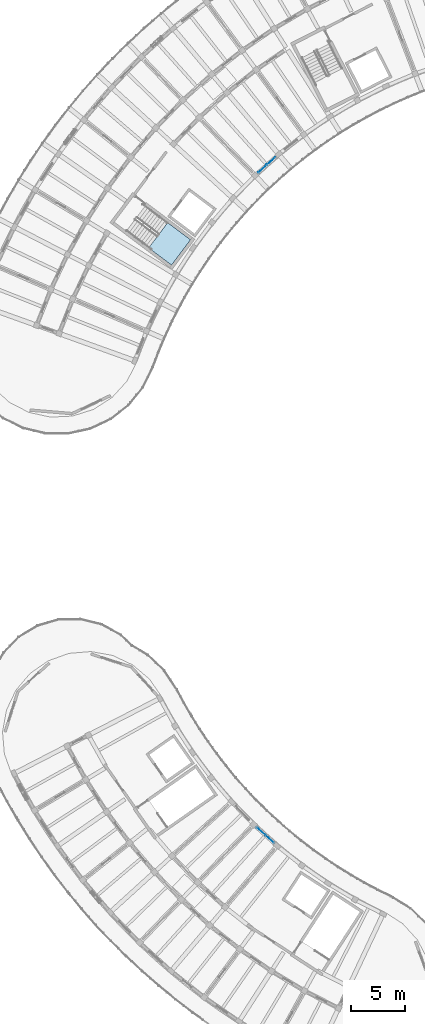
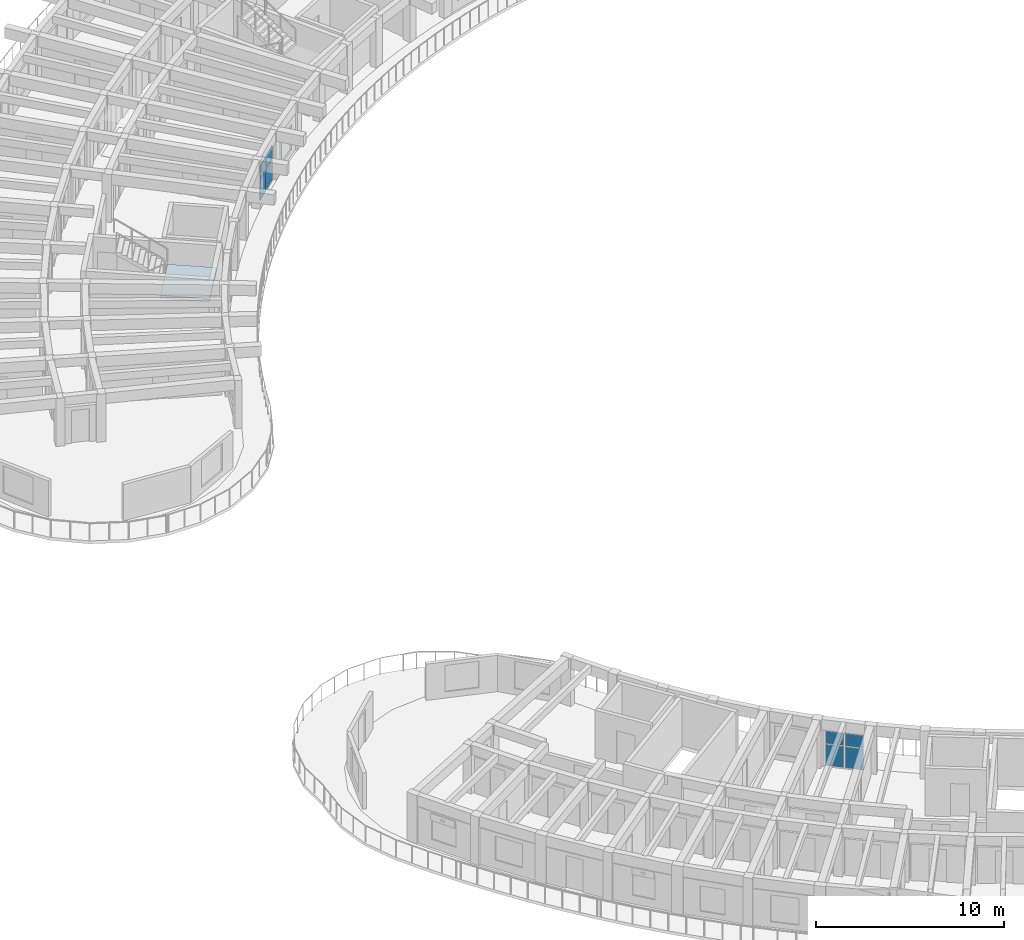
# One storey, part 12 of 41: 8 plates, 1 slab, 3 elements without a shape of their own.
"""IFC4 building model written with IfcOpenShell, lengths in metres."""

from ifc_helpers import new_model, si_unit, direction, frame, origin, origin_2d, place, context, subcontext, project, spatial, polyline, rectangle, outline, extrude, material, layer, layer_set, type_object, element, aggregate, save


model = new_model("IFC4")

# Units and contexts
model_context = context("Model", 3, precision=1e-05, world=origin(), true_north=direction((0.0, 1.0)))
body_context = subcontext(model_context, "Body", "Model", "MODEL_VIEW")
ifc_project = project(units=[si_unit("LENGTHUNIT", "METRE"), si_unit("AREAUNIT", "SQUARE_METRE"), si_unit("VOLUMEUNIT", "CUBIC_METRE"), si_unit("PLANEANGLEUNIT", "RADIAN"), si_unit("MASSUNIT", "GRAM", prefix="KILO")], contexts=[model_context])

# Site, building, storey
site_placement = place(None, origin())
site = spatial("IfcSite", under=ifc_project, at=site_placement, CompositionType="ELEMENT")
building_placement = place(site_placement, origin())
building = spatial("IfcBuilding", under=site, at=building_placement, Name="Tanwirah Colonnade Gardens", CompositionType="ELEMENT")
storey_placement = place(building_placement, frame((0.0, 0.0, 35.719970703125)))
storey = spatial("IfcBuildingStorey", under=building, at=storey_placement, Name="L10", CompositionType="ELEMENT", Elevation=35.719970703125)

# Curtain wall, plates
ifc_material_1 = material(Name="Bronze-anodised aluminium and solar-control low-E glass", Category="aluminium")
curtain_wall_type = type_object("IfcCurtainWallType", Name="CW-GDN", PredefinedType="NOTDEFINED", material=ifc_material_1)
curtain_wall_1_placement = place(storey_placement, origin())
curtain_wall_1 = element("IfcCurtainWall", 1, at=curtain_wall_1_placement, inside=storey, type_object=curtain_wall_type, Name="Curtain Wall CW-C-L10-IN-08", PredefinedType="NOTDEFINED")
ifc_material_2 = material(Name="Solar-control low-E double glazing", Category="glass")
ifc_layer_1 = layer(ifc_material_2, 0.028076171875)
ifc_layer_set_1 = layer_set([ifc_layer_1], Name="Solar-control low-E double glazing")
plate_type_1 = type_object("IfcPlateType", Name="CWP-GLZ28", PredefinedType="CURTAIN_PANEL", material=ifc_layer_set_1)
plate_1_placement = place(storey_placement, frame((34.806396484375, 31.90673828125, 0.06005859375), z_axis=(0.0, 0.0, 1.0), x_axis=(0.741682643058, -0.670750964954, 0.0)))
plate_1 = element("IfcPlate", 2, at=plate_1_placement, type_object=plate_type_1, Name="CW-GDN panel 1.1", PredefinedType="CURTAIN_PANEL", context=body_context, shape_type="SweptSolid", body=[
    extrude(rectangle(XDim=1.00439453125, YDim=0.028076171875, at=origin_2d()), origin(), (0.0, 0.0, 1.0), 1.3701171875),
])
plate_2_placement = place(storey_placement, frame((34.806396484375, 31.90673828125, 1.490234375), z_axis=(0.0, 0.0, 1.0), x_axis=(0.741682643058, -0.670750964954, 0.0)))
plate_2 = element("IfcPlate", 3, at=plate_2_placement, type_object=plate_type_1, Name="CW-GDN panel 1.2", PredefinedType="CURTAIN_PANEL", context=body_context, shape_type="SweptSolid", body=[
    extrude(rectangle(XDim=1.00439453125, YDim=0.028076171875, at=origin_2d()), origin(), (0.0, 0.0, 1.0), 0.804931640625),
])
plate_3_placement = place(storey_placement, frame((35.595703125, 31.19287109375, 0.06005859375), z_axis=(0.0, 0.0, 1.0), x_axis=(0.741682643058, -0.670750964954, 0.0)))
plate_3 = element("IfcPlate", 4, at=plate_3_placement, type_object=plate_type_1, Name="CW-GDN panel 2.1", PredefinedType="CURTAIN_PANEL", context=body_context, shape_type="SweptSolid", body=[
    extrude(rectangle(XDim=1.00439453125, YDim=0.028076171875, at=origin_2d()), origin(), (0.0, 0.0, 1.0), 1.3701171875),
])
plate_4_placement = place(storey_placement, frame((35.595703125, 31.19287109375, 1.490234375), z_axis=(0.0, 0.0, 1.0), x_axis=(0.741682643058, -0.670750964954, 0.0)))
plate_4 = element("IfcPlate", 5, at=plate_4_placement, type_object=plate_type_1, Name="CW-GDN panel 2.2", PredefinedType="CURTAIN_PANEL", context=body_context, shape_type="SweptSolid", body=[
    extrude(rectangle(XDim=1.00439453125, YDim=0.028076171875, at=origin_2d()), origin(), (0.0, 0.0, 1.0), 0.804931640625),
])
aggregate(curtain_wall_1, [plate_1, plate_2, plate_3, plate_4])

curtain_wall_2_placement = place(storey_placement, origin())
curtain_wall_2 = element("IfcCurtainWall", 6, at=curtain_wall_2_placement, inside=storey, type_object=curtain_wall_type, Name="Curtain Wall CW-A-L10-IN-09", PredefinedType="NOTDEFINED")
ifc_material_3 = material(Name="Insulated bronze aluminium spandrel panel", Category="aluminium")
ifc_layer_2 = layer(ifc_material_3, 0.035888671875)
ifc_layer_set_2 = layer_set([ifc_layer_2], Name="Insulated bronze aluminium spandrel panel")
plate_type_2 = type_object("IfcPlateType", Name="CWP-SPN36", PredefinedType="CURTAIN_PANEL", material=ifc_layer_set_2)
plate_5_placement = place(storey_placement, frame((35.736572265625, 93.630615234375, 0.06494140625), z_axis=(0.0, 0.0, 1.0), x_axis=(-0.744440162253, -0.667689182798, 0.0)))
plate_5 = element("IfcPlate", 7, at=plate_5_placement, type_object=plate_type_2, Name="CW-GDN panel 1.1", PredefinedType="CURTAIN_PANEL", context=body_context, shape_type="SweptSolid", body=[
    extrude(rectangle(XDim=1.007568359375, YDim=0.035888671875, at=origin_2d()), origin(), (0.0, 0.0, 1.0), 1.362548828125),
])
plate_6_placement = place(storey_placement, frame((35.736572265625, 93.630615234375, 1.49267578125), z_axis=(0.0, 0.0, 1.0), x_axis=(-0.744440162253, -0.667689182798, 0.0)))
plate_6 = element("IfcPlate", 8, at=plate_6_placement, type_object=plate_type_2, Name="CW-GDN panel 1.2", PredefinedType="CURTAIN_PANEL", context=body_context, shape_type="SweptSolid", body=[
    extrude(rectangle(XDim=1.007568359375, YDim=0.035888671875, at=origin_2d()), origin(), (0.0, 0.0, 1.0), 0.79736328125),
])
plate_7_placement = place(storey_placement, frame((34.938232421875, 92.914306640625, 0.06494140625), z_axis=(0.0, 0.0, 1.0), x_axis=(-0.744440162253, -0.667689182798, 0.0)))
plate_7 = element("IfcPlate", 9, at=plate_7_placement, type_object=plate_type_2, Name="CW-GDN panel 2.1", PredefinedType="CURTAIN_PANEL", context=body_context, shape_type="SweptSolid", body=[
    extrude(rectangle(XDim=1.007568359375, YDim=0.035888671875, at=origin_2d()), origin(), (0.0, 0.0, 1.0), 1.362548828125),
])
plate_8_placement = place(storey_placement, frame((34.938232421875, 92.914306640625, 1.49267578125), z_axis=(0.0, 0.0, 1.0), x_axis=(-0.744440162253, -0.667689182798, 0.0)))
plate_8 = element("IfcPlate", 10, at=plate_8_placement, type_object=plate_type_2, Name="CW-GDN panel 2.2", PredefinedType="CURTAIN_PANEL", context=body_context, shape_type="SweptSolid", body=[
    extrude(rectangle(XDim=1.007568359375, YDim=0.035888671875, at=origin_2d()), origin(), (0.0, 0.0, 1.0), 0.79736328125),
])
aggregate(curtain_wall_2, [plate_5, plate_6, plate_7, plate_8])

# Stair, slab
ifc_material_4 = material(Name="Precast concrete C40/50", Category="concrete")
stair_type = type_object("IfcStairType", Name="ST-RES168", PredefinedType="HALF_TURN_STAIR", material=ifc_material_4)
stair_placement = place(storey_placement, origin())
stair = element("IfcStair", 11, at=stair_placement, inside=storey, type_object=stair_type, Name="L10 Block A Core 2 Exit Stair", PredefinedType="HALF_TURN_STAIR")
ifc_layer_3 = layer(ifc_material_4, 0.205078125)
ifc_layer_set_3 = layer_set([ifc_layer_3], Name="Precast concrete C40/50")
slab_type = type_object("IfcSlabType", Name="SL-LND-205", PredefinedType="LANDING", material=ifc_layer_set_3)
slab_placement = place(storey_placement, frame((0.0, 0.0, 1.47509765625)))
slab = element("IfcSlab", 12, at=slab_placement, type_object=slab_type, Name="ST-A2 landing 1", PredefinedType="LANDING", context=body_context, shape_type="SweptSolid", body=[
    extrude(outline(polyline([(24.44970703125, 85.623046875), (26.553955078125, 84.037353515625), (28.311279296875, 86.369384765625), (26.20703125, 87.955078125), (24.44970703125, 85.623046875)])), origin(), (0.0, 0.0, 1.0), 0.204833984375),
])
aggregate(stair, [slab])

save(model, "model.ifc")
